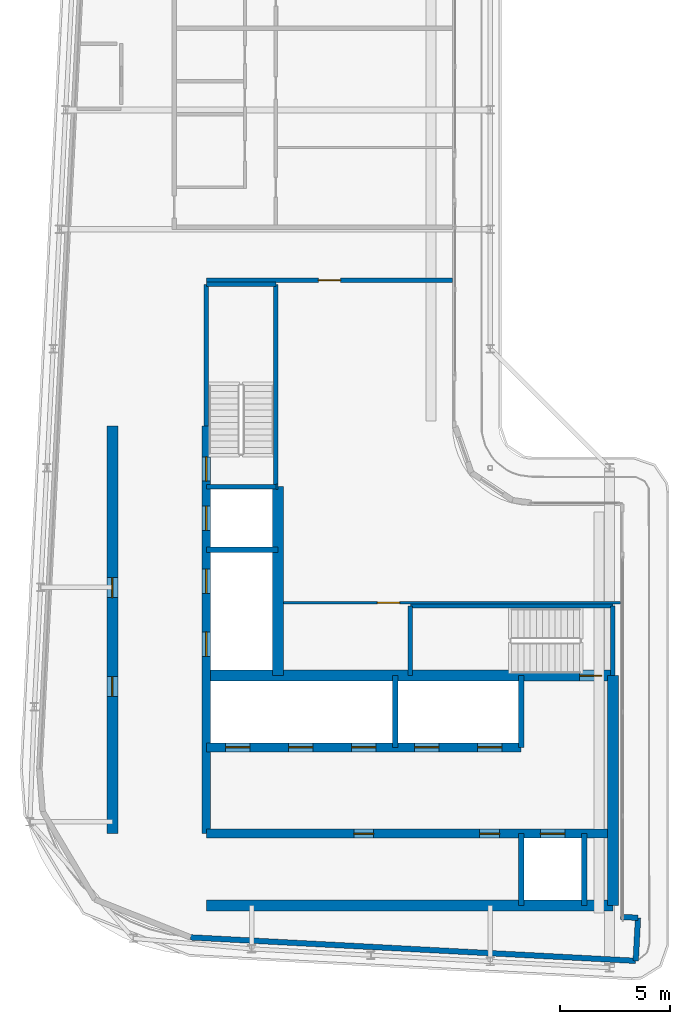
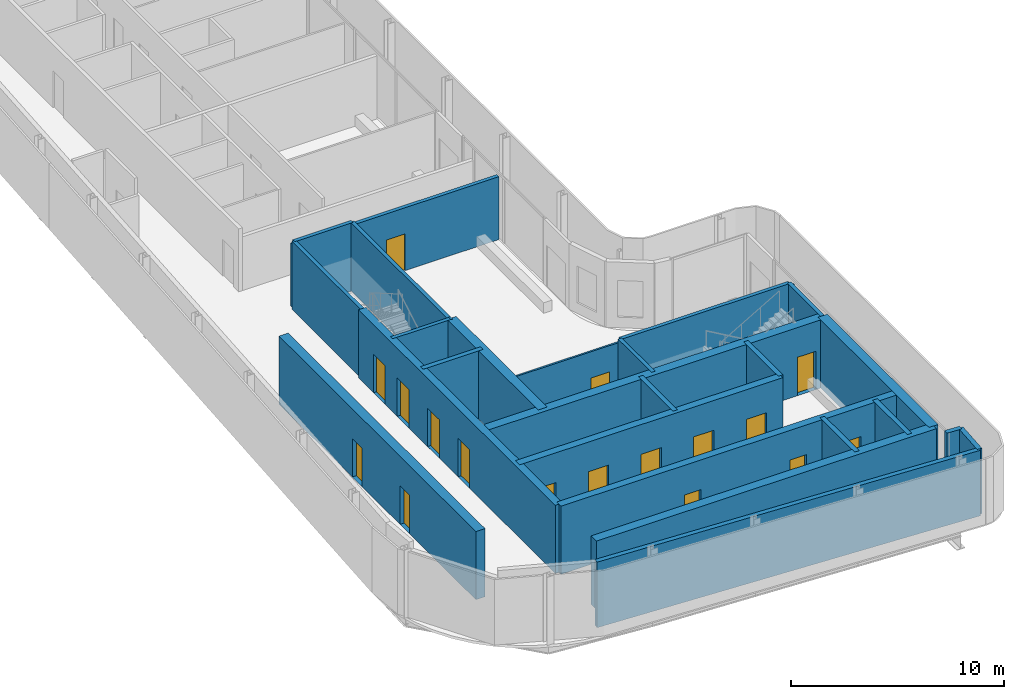
# One storey, part 9 of 18: 26 walls, 17 doors, 17 openings.
"""IFC4 building model written with IfcOpenShell, lengths in metres."""

from ifc_helpers import new_model, si_unit, direction, frame, frame_2d, origin, place, context, subcontext, project, spatial, rectangle, extrude, source, transform, mapped, material, layer, layer_set, type_object, element, fill, save


model = new_model("IFC4")

# Units and contexts
model_context = context("Model", 3, precision=1e-05, world=origin(), true_north=direction((0.0, 1.0)))
body_context = subcontext(model_context, "Body", "Model", "MODEL_VIEW")
ifc_project = project(units=[si_unit("LENGTHUNIT", "METRE"), si_unit("AREAUNIT", "SQUARE_METRE"), si_unit("VOLUMEUNIT", "CUBIC_METRE"), si_unit("PLANEANGLEUNIT", "RADIAN"), si_unit("MASSUNIT", "GRAM", prefix="KILO")], contexts=[model_context])

# Site, building, storey
site_placement = place(None, origin())
site = spatial("IfcSite", under=ifc_project, at=site_placement, CompositionType="ELEMENT")
building_placement = place(site_placement, origin())
building = spatial("IfcBuilding", under=site, at=building_placement, Name="Kheshtan School and Residences Tower", CompositionType="ELEMENT")
storey_placement = place(building_placement, frame((0.0, 0.0, 365.60009765625)))
storey = spatial("IfcBuildingStorey", under=building, at=storey_placement, Name="L86", CompositionType="ELEMENT", Elevation=365.60009765625)

# Wall, openings, doors
ifc_material_1 = material(Name="Concrete C50/60", Category="concrete")
ifc_layer_1 = layer(ifc_material_1, 0.39990234375)
ifc_layer_set_1 = layer_set([ifc_layer_1], Name="Core wall 400 Concrete C50/60")
wall_type_1 = type_object("IfcWallType", Name="Core wall 400 Concrete C50/60", PredefinedType="SHEAR", material=ifc_layer_set_1)
wall_1_placement = place(storey_placement, frame((34.75, 29.050048828125, 0.0), z_axis=(0.0, 0.0, 1.0), x_axis=(1.0, 0.0, 0.0)))
wall_1 = element("IfcWall", 1, at=wall_1_placement, inside=storey, type_object=wall_type_1, Name="Core wall CW-HALL-S1", PredefinedType="SHEAR", context=body_context, shape_type="SweptSolid", body=[
    extrude(rectangle(XDim=18.39990234375, YDim=0.39990234375, at=frame_2d((9.199951171875, 0.0))), origin(), (0.0, 0.0, 1.0), 3.89990234375),
])
opening_1_placement = place(wall_1_placement, frame((15.125, 0.0, 0.0)))
opening_1 = element("IfcOpeningElement", 2, at=opening_1_placement, cuts=wall_1, Name="Opening LD", PredefinedType="OPENING", context=body_context, shape_type="SweptSolid", body=[
    extrude(rectangle(XDim=1.10009765625, YDim=2.199951171875, at=frame_2d((0.550048828125, 1.10009765625))), frame((0.0, 0.2099609375, 0.0), z_axis=(0.0, -1.0, 0.0), x_axis=(1.0, 0.0, 0.0)), (0.0, 0.0, 1.0), 0.419921875),
])
opening_2_placement = place(wall_1_placement, frame((6.675048828125, 0.0, 0.0)))
opening_2 = element("IfcOpeningElement", 3, at=opening_2_placement, cuts=wall_1, Name="Opening SR90", PredefinedType="OPENING", context=body_context, shape_type="SweptSolid", body=[
    extrude(rectangle(XDim=0.89990234375, YDim=2.199951171875, at=frame_2d((0.449951171875, 1.10009765625))), frame((0.0, 0.2099609375, 0.0), z_axis=(0.0, -1.0, 0.0), x_axis=(1.0, 0.0, 0.0)), (0.0, 0.0, 1.0), 0.419921875),
])
opening_3_placement = place(wall_1_placement, frame((12.375, 0.0, 0.0)))
opening_3 = element("IfcOpeningElement", 4, at=opening_3_placement, cuts=wall_1, Name="Opening SR90", PredefinedType="OPENING", context=body_context, shape_type="SweptSolid", body=[
    extrude(rectangle(XDim=0.89990234375, YDim=2.199951171875, at=frame_2d((0.449951171875, 1.10009765625))), frame((0.0, 0.2099609375, 0.0), z_axis=(0.0, -1.0, 0.0), x_axis=(1.0, 0.0, 0.0)), (0.0, 0.0, 1.0), 0.419921875),
])
ifc_material_2 = material(Name="Stainless steel door leaves", Category="steel")
door_type_1 = type_object("IfcDoorType", Name="Lift landing door 1100", OperationType="SLIDING_TO_LEFT", PredefinedType="DOOR", material=ifc_material_2)
shared_shape_1 = source(origin(), body_context, "Body", "SweptSolid", [
    extrude(rectangle(XDim=1.10009765625, YDim=2.199951171875, at=frame_2d((0.550048828125, 1.10009765625))), frame((0.0, 0.02490234375, 0.0), z_axis=(0.0, -1.0, 0.0), x_axis=(1.0, 0.0, 0.0)), (0.0, 0.0, 1.0), 0.050048828125),
])
door_1_placement = place(opening_1_placement, origin())
door_1 = element("IfcDoor", 5, at=door_1_placement, inside=storey, type_object=door_type_1, Name="Lift FFL2 landing door", OperationType="SLIDING_TO_LEFT", OverallHeight=2.199951171875, OverallWidth=1.10009765625, PredefinedType="DOOR", context=body_context, shape_type="MappedRepresentation", body=[
    mapped(shared_shape_1, transform((0.0, 0.0, 0.0), x_axis=(1.0, 0.0, 0.0), y_axis=(0.0, 1.0, 0.0), z_axis=(0.0, 0.0, 1.0), scale=1.0)),
])
fill(opening_1, door_1)
ifc_material_3 = material(Name="Steel door leaf, galvanised", Category="steel")
door_type_2 = type_object("IfcDoorType", Name="Service room door 900 steel 90 min", OperationType="SINGLE_SWING_LEFT", PredefinedType="DOOR", material=ifc_material_3)
shared_shape_2 = source(origin(), body_context, "Body", "SweptSolid", [
    extrude(rectangle(XDim=0.89990234375, YDim=2.199951171875, at=frame_2d((0.449951171875, 1.10009765625))), frame((0.0, 0.02490234375, 0.0), z_axis=(0.0, -1.0, 0.0), x_axis=(1.0, 0.0, 0.0)), (0.0, 0.0, 1.0), 0.050048828125),
])
door_2_placement = place(opening_2_placement, origin())
door_2 = element("IfcDoor", 6, at=door_2_placement, inside=storey, type_object=door_type_2, Name="Service room door", OperationType="SINGLE_SWING_RIGHT", OverallHeight=2.199951171875, OverallWidth=0.89990234375, PredefinedType="DOOR", context=body_context, shape_type="MappedRepresentation", body=[
    mapped(shared_shape_2, transform((0.0, 0.0, 0.0), x_axis=(1.0, 0.0, 0.0), y_axis=(0.0, 1.0, 0.0), z_axis=(0.0, 0.0, 1.0), scale=1.0)),
])
fill(opening_2, door_2)
door_3_placement = place(opening_3_placement, origin())
door_3 = element("IfcDoor", 7, at=door_3_placement, inside=storey, type_object=door_type_2, Name="Service room door", OperationType="SINGLE_SWING_LEFT", OverallHeight=2.199951171875, OverallWidth=0.89990234375, PredefinedType="DOOR", context=body_context, shape_type="MappedRepresentation", body=[
    mapped(shared_shape_2, transform((0.0, 0.0, 0.0), x_axis=(1.0, 0.0, 0.0), y_axis=(0.0, 1.0, 0.0), z_axis=(0.0, 0.0, 1.0), scale=1.0)),
])
fill(opening_3, door_3)

wall_2_placement = place(storey_placement, frame((34.75, 32.949951171875, 0.0), z_axis=(0.0, 0.0, 1.0), x_axis=(1.0, 0.0, 0.0)))
wall_2 = element("IfcWall", 8, at=wall_2_placement, inside=storey, type_object=wall_type_1, Name="Core wall CW-HALL-S2", PredefinedType="SHEAR", context=body_context, shape_type="SweptSolid", body=[
    extrude(rectangle(XDim=14.25, YDim=0.39990234375, at=frame_2d((7.125, 0.0))), origin(), (0.0, 0.0, 1.0), 3.89990234375),
])
opening_4_placement = place(wall_2_placement, frame((0.875, 0.0, 0.0)))
opening_4 = element("IfcOpeningElement", 9, at=opening_4_placement, cuts=wall_2, Name="Opening LD", PredefinedType="OPENING", context=body_context, shape_type="SweptSolid", body=[
    extrude(rectangle(XDim=1.10009765625, YDim=2.199951171875, at=frame_2d((0.550048828125, 1.10009765625))), frame((0.0, 0.2099609375, 0.0), z_axis=(0.0, -1.0, 0.0), x_axis=(1.0, 0.0, 0.0)), (0.0, 0.0, 1.0), 0.419921875),
])
opening_5_placement = place(wall_2_placement, frame((3.72509765625, 0.0, 0.0)))
opening_5 = element("IfcOpeningElement", 10, at=opening_5_placement, cuts=wall_2, Name="Opening LD", PredefinedType="OPENING", context=body_context, shape_type="SweptSolid", body=[
    extrude(rectangle(XDim=1.10009765625, YDim=2.199951171875, at=frame_2d((0.550048828125, 1.10009765625))), frame((0.0, 0.2099609375, 0.0), z_axis=(0.0, -1.0, 0.0), x_axis=(1.0, 0.0, 0.0)), (0.0, 0.0, 1.0), 0.419921875),
])
opening_6_placement = place(wall_2_placement, frame((6.574951171875, 0.0, 0.0)))
opening_6 = element("IfcOpeningElement", 11, at=opening_6_placement, cuts=wall_2, Name="Opening LD", PredefinedType="OPENING", context=body_context, shape_type="SweptSolid", body=[
    extrude(rectangle(XDim=1.10009765625, YDim=2.199951171875, at=frame_2d((0.550048828125, 1.10009765625))), frame((0.0, 0.2099609375, 0.0), z_axis=(0.0, -1.0, 0.0), x_axis=(1.0, 0.0, 0.0)), (0.0, 0.0, 1.0), 0.419921875),
])
opening_7_placement = place(wall_2_placement, frame((9.425048828125, 0.0, 0.0)))
opening_7 = element("IfcOpeningElement", 12, at=opening_7_placement, cuts=wall_2, Name="Opening LD", PredefinedType="OPENING", context=body_context, shape_type="SweptSolid", body=[
    extrude(rectangle(XDim=1.10009765625, YDim=2.199951171875, at=frame_2d((0.550048828125, 1.10009765625))), frame((0.0, 0.2099609375, 0.0), z_axis=(0.0, -1.0, 0.0), x_axis=(1.0, 0.0, 0.0)), (0.0, 0.0, 1.0), 0.419921875),
])
opening_8_placement = place(wall_2_placement, frame((12.27490234375, 0.0, 0.0)))
opening_8 = element("IfcOpeningElement", 13, at=opening_8_placement, cuts=wall_2, Name="Opening LD", PredefinedType="OPENING", context=body_context, shape_type="SweptSolid", body=[
    extrude(rectangle(XDim=1.10009765625, YDim=2.199951171875, at=frame_2d((0.550048828125, 1.10009765625))), frame((0.0, 0.2099609375, 0.0), z_axis=(0.0, -1.0, 0.0), x_axis=(1.0, 0.0, 0.0)), (0.0, 0.0, 1.0), 0.419921875),
])
door_4_placement = place(opening_4_placement, origin())
door_4 = element("IfcDoor", 14, at=door_4_placement, inside=storey, type_object=door_type_1, Name="Lift P12 landing door", OperationType="SLIDING_TO_LEFT", OverallHeight=2.199951171875, OverallWidth=1.10009765625, PredefinedType="DOOR", context=body_context, shape_type="MappedRepresentation", body=[
    mapped(shared_shape_1, transform((0.0, 0.0, 0.0), x_axis=(1.0, 0.0, 0.0), y_axis=(0.0, 1.0, 0.0), z_axis=(0.0, 0.0, 1.0), scale=1.0)),
])
fill(opening_4, door_4)
door_5_placement = place(opening_5_placement, origin())
door_5 = element("IfcDoor", 15, at=door_5_placement, inside=storey, type_object=door_type_1, Name="Lift P13 landing door", OperationType="SLIDING_TO_LEFT", OverallHeight=2.199951171875, OverallWidth=1.10009765625, PredefinedType="DOOR", context=body_context, shape_type="MappedRepresentation", body=[
    mapped(shared_shape_1, transform((0.0, 0.0, 0.0), x_axis=(1.0, 0.0, 0.0), y_axis=(0.0, 1.0, 0.0), z_axis=(0.0, 0.0, 1.0), scale=1.0)),
])
fill(opening_5, door_5)
door_6_placement = place(opening_6_placement, origin())
door_6 = element("IfcDoor", 16, at=door_6_placement, inside=storey, type_object=door_type_1, Name="Lift P14 landing door", OperationType="SLIDING_TO_LEFT", OverallHeight=2.199951171875, OverallWidth=1.10009765625, PredefinedType="DOOR", context=body_context, shape_type="MappedRepresentation", body=[
    mapped(shared_shape_1, transform((0.0, 0.0, 0.0), x_axis=(1.0, 0.0, 0.0), y_axis=(0.0, 1.0, 0.0), z_axis=(0.0, 0.0, 1.0), scale=1.0)),
])
fill(opening_6, door_6)
door_7_placement = place(opening_7_placement, origin())
door_7 = element("IfcDoor", 17, at=door_7_placement, inside=storey, type_object=door_type_1, Name="Lift P15 landing door", OperationType="SLIDING_TO_LEFT", OverallHeight=2.199951171875, OverallWidth=1.10009765625, PredefinedType="DOOR", context=body_context, shape_type="MappedRepresentation", body=[
    mapped(shared_shape_1, transform((0.0, 0.0, 0.0), x_axis=(1.0, 0.0, 0.0), y_axis=(0.0, 1.0, 0.0), z_axis=(0.0, 0.0, 1.0), scale=1.0)),
])
fill(opening_7, door_7)
door_8_placement = place(opening_8_placement, origin())
door_8 = element("IfcDoor", 18, at=door_8_placement, inside=storey, type_object=door_type_1, Name="Lift P16 landing door", OperationType="SLIDING_TO_LEFT", OverallHeight=2.199951171875, OverallWidth=1.10009765625, PredefinedType="DOOR", context=body_context, shape_type="MappedRepresentation", body=[
    mapped(shared_shape_1, transform((0.0, 0.0, 0.0), x_axis=(1.0, 0.0, 0.0), y_axis=(0.0, 1.0, 0.0), z_axis=(0.0, 0.0, 1.0), scale=1.0)),
])
fill(opening_8, door_8)

wall_3_placement = place(storey_placement, frame((34.75, 29.050048828125, 0.0), z_axis=(0.0, 0.0, 1.0), x_axis=(0.0, 1.0, 0.0)))
wall_3 = element("IfcWall", 19, at=wall_3_placement, inside=storey, type_object=wall_type_1, Name="Core wall CW-HALL-W1", PredefinedType="SHEAR", context=body_context, shape_type="SweptSolid", body=[
    extrude(rectangle(XDim=18.449951171875, YDim=0.39990234375, at=frame_2d((9.22509765625, 0.0))), origin(), (0.0, 0.0, 1.0), 3.89990234375),
])
opening_9_placement = place(wall_3_placement, frame((8.02490234375, 0.0, 0.0)))
opening_9 = element("IfcOpeningElement", 20, at=opening_9_placement, cuts=wall_3, Name="Opening LD", PredefinedType="OPENING", context=body_context, shape_type="SweptSolid", body=[
    extrude(rectangle(XDim=1.10009765625, YDim=2.199951171875, at=frame_2d((0.550048828125, 1.10009765625))), frame((0.0, 0.2099609375, 0.0), z_axis=(0.0, -1.0, 0.0), x_axis=(1.0, 0.0, 0.0)), (0.0, 0.0, 1.0), 0.419921875),
])
opening_10_placement = place(wall_3_placement, frame((10.875, 0.0, 0.0)))
opening_10 = element("IfcOpeningElement", 21, at=opening_10_placement, cuts=wall_3, Name="Opening LD", PredefinedType="OPENING", context=body_context, shape_type="SweptSolid", body=[
    extrude(rectangle(XDim=1.10009765625, YDim=2.199951171875, at=frame_2d((0.550048828125, 1.10009765625))), frame((0.0, 0.2099609375, 0.0), z_axis=(0.0, -1.0, 0.0), x_axis=(1.0, 0.0, 0.0)), (0.0, 0.0, 1.0), 0.419921875),
])
opening_11_placement = place(wall_3_placement, frame((13.72509765625, 0.0, 0.0)))
opening_11 = element("IfcOpeningElement", 22, at=opening_11_placement, cuts=wall_3, Name="Opening LD", PredefinedType="OPENING", context=body_context, shape_type="SweptSolid", body=[
    extrude(rectangle(XDim=1.10009765625, YDim=2.199951171875, at=frame_2d((0.550048828125, 1.10009765625))), frame((0.0, 0.2099609375, 0.0), z_axis=(0.0, -1.0, 0.0), x_axis=(1.0, 0.0, 0.0)), (0.0, 0.0, 1.0), 0.419921875),
])
opening_12_placement = place(wall_3_placement, frame((15.949951171875, 0.0, 0.0)))
opening_12 = element("IfcOpeningElement", 23, at=opening_12_placement, cuts=wall_3, Name="Opening ST2D", PredefinedType="OPENING", context=body_context, shape_type="SweptSolid", body=[
    extrude(rectangle(XDim=1.10009765625, YDim=2.199951171875, at=frame_2d((0.550048828125, 1.10009765625))), frame((0.0, 0.2099609375, 0.0), z_axis=(0.0, -1.0, 0.0), x_axis=(1.0, 0.0, 0.0)), (0.0, 0.0, 1.0), 0.419921875),
])
door_9_placement = place(opening_9_placement, origin())
door_9 = element("IfcDoor", 24, at=door_9_placement, inside=storey, type_object=door_type_1, Name="Lift SV1 landing door", OperationType="SLIDING_TO_LEFT", OverallHeight=2.199951171875, OverallWidth=1.10009765625, PredefinedType="DOOR", context=body_context, shape_type="MappedRepresentation", body=[
    mapped(shared_shape_1, transform((0.0, 0.0, 0.0), x_axis=(1.0, 0.0, 0.0), y_axis=(0.0, 1.0, 0.0), z_axis=(0.0, 0.0, 1.0), scale=1.0)),
])
fill(opening_9, door_9)
door_10_placement = place(opening_10_placement, origin())
door_10 = element("IfcDoor", 25, at=door_10_placement, inside=storey, type_object=door_type_1, Name="Lift SV2 landing door", OperationType="SLIDING_TO_LEFT", OverallHeight=2.199951171875, OverallWidth=1.10009765625, PredefinedType="DOOR", context=body_context, shape_type="MappedRepresentation", body=[
    mapped(shared_shape_1, transform((0.0, 0.0, 0.0), x_axis=(1.0, 0.0, 0.0), y_axis=(0.0, 1.0, 0.0), z_axis=(0.0, 0.0, 1.0), scale=1.0)),
])
fill(opening_10, door_10)
door_11_placement = place(opening_11_placement, origin())
door_11 = element("IfcDoor", 26, at=door_11_placement, inside=storey, type_object=door_type_1, Name="Lift FFL1 landing door", OperationType="SLIDING_TO_LEFT", OverallHeight=2.199951171875, OverallWidth=1.10009765625, PredefinedType="DOOR", context=body_context, shape_type="MappedRepresentation", body=[
    mapped(shared_shape_1, transform((0.0, 0.0, 0.0), x_axis=(1.0, 0.0, 0.0), y_axis=(0.0, 1.0, 0.0), z_axis=(0.0, 0.0, 1.0), scale=1.0)),
])
fill(opening_11, door_11)
door_type_3 = type_object("IfcDoorType", Name="Stair door 1100 steel 90 min", OperationType="SINGLE_SWING_LEFT", PredefinedType="DOOR", material=ifc_material_3)
shared_shape_3 = source(origin(), body_context, "Body", "SweptSolid", [
    extrude(rectangle(XDim=1.10009765625, YDim=2.199951171875, at=frame_2d((0.550048828125, 1.10009765625))), frame((0.0, 0.02490234375, 0.0), z_axis=(0.0, -1.0, 0.0), x_axis=(1.0, 0.0, 0.0)), (0.0, 0.0, 1.0), 0.050048828125),
])
door_12_placement = place(opening_12_placement, origin())
door_12 = element("IfcDoor", 27, at=door_12_placement, inside=storey, type_object=door_type_3, Name="Stair ST2 door", OperationType="SINGLE_SWING_RIGHT", OverallHeight=2.199951171875, OverallWidth=1.10009765625, PredefinedType="DOOR", context=body_context, shape_type="MappedRepresentation", body=[
    mapped(shared_shape_3, transform((0.0, 0.0, 0.0), x_axis=(1.0, 0.0, 0.0), y_axis=(0.0, 1.0, 0.0), z_axis=(0.0, 0.0, 1.0), scale=1.0)),
])
fill(opening_12, door_12)

# Wall
ifc_layer_2 = layer(ifc_material_1, 0.5)
ifc_layer_set_2 = layer_set([ifc_layer_2], Name="Core wall 500 Concrete C50/60")
wall_type_2 = type_object("IfcWallType", Name="Core wall 500 Concrete C50/60", PredefinedType="SHEAR", material=ifc_layer_set_2)
wall_4_placement = place(storey_placement, frame((34.75, 25.800048828125, 0.0), z_axis=(0.0, 0.0, 1.0), x_axis=(1.0, 0.0, 0.0)))
element("IfcWall", 28, at=wall_4_placement, inside=storey, type_object=wall_type_2, Name="Core wall CW-REAR-S", PredefinedType="SHEAR", context=body_context, shape_type="SweptSolid", body=[
    extrude(rectangle(XDim=18.39990234375, YDim=0.5, at=frame_2d((9.199951171875, 0.0))), origin(), (0.0, 0.0, 1.0), 3.89990234375),
])

# Wall, opening, door
wall_5_placement = place(storey_placement, frame((34.75, 36.199951171875, 0.0), z_axis=(0.0, 0.0, 1.0), x_axis=(1.0, 0.0, 0.0)))
wall_5 = element("IfcWall", 29, at=wall_5_placement, inside=storey, type_object=wall_type_2, Name="Core wall CW-FRONT-S", PredefinedType="SHEAR", context=body_context, shape_type="SweptSolid", body=[
    extrude(rectangle(XDim=18.39990234375, YDim=0.5, at=frame_2d((9.199951171875, 0.0))), origin(), (0.0, 0.0, 1.0), 3.89990234375),
])
opening_13_placement = place(wall_5_placement, frame((16.89990234375, 0.0, 0.0)))
opening_13 = element("IfcOpeningElement", 30, at=opening_13_placement, cuts=wall_5, Name="Opening ST1D", PredefinedType="OPENING", context=body_context, shape_type="SweptSolid", body=[
    extrude(rectangle(XDim=1.0, YDim=2.199951171875, at=frame_2d((0.5, 1.10009765625))), frame((0.0, 0.260009765625, 0.0), z_axis=(0.0, -1.0, 0.0), x_axis=(1.0, 0.0, 0.0)), (0.0, 0.0, 1.0), 0.52001953125),
])
shared_shape_4 = source(origin(), body_context, "Body", "SweptSolid", [
    extrude(rectangle(XDim=1.0, YDim=2.199951171875, at=frame_2d((0.5, 1.10009765625))), frame((0.0, 0.02490234375, 0.0), z_axis=(0.0, -1.0, 0.0), x_axis=(1.0, 0.0, 0.0)), (0.0, 0.0, 1.0), 0.050048828125),
])
door_13_placement = place(opening_13_placement, origin())
door_13 = element("IfcDoor", 31, at=door_13_placement, inside=storey, type_object=door_type_3, Name="Stair ST1 door", OperationType="SINGLE_SWING_RIGHT", OverallHeight=2.199951171875, OverallWidth=1.0, PredefinedType="DOOR", context=body_context, shape_type="MappedRepresentation", body=[
    mapped(shared_shape_4, transform((0.0, 0.0, 0.0), x_axis=(1.0, 0.0, 0.0), y_axis=(0.0, 1.0, 0.0), z_axis=(0.0, 0.0, 1.0), scale=1.0)),
])
fill(opening_13, door_13)

# Wall
wall_6_placement = place(storey_placement, frame((38.0, 36.199951171875, 0.0), z_axis=(0.0, 0.0, 1.0), x_axis=(0.0, 1.0, 0.0)))
element("IfcWall", 32, at=wall_6_placement, inside=storey, type_object=wall_type_2, Name="Core wall CW-FRONT-W", PredefinedType="SHEAR", context=body_context, shape_type="SweptSolid", body=[
    extrude(rectangle(XDim=8.550048828125, YDim=0.5, at=frame_2d((4.27490234375, 0.0))), origin(), (0.0, 0.0, 1.0), 3.89990234375),
])

# Wall, openings, doors
wall_7_placement = place(storey_placement, frame((30.5, 29.050048828125, 0.0), z_axis=(0.0, 0.0, 1.0), x_axis=(0.0, 1.0, 0.0)))
wall_7 = element("IfcWall", 33, at=wall_7_placement, inside=storey, type_object=wall_type_2, Name="Core wall CW-REAR-W", PredefinedType="SHEAR", context=body_context, shape_type="SweptSolid", body=[
    extrude(rectangle(XDim=18.449951171875, YDim=0.5, at=frame_2d((9.22509765625, 0.0))), origin(), (0.0, 0.0, 1.0), 3.89990234375),
])
opening_14_placement = place(wall_7_placement, frame((6.2099609375, 0.0, 0.0)))
opening_14 = element("IfcOpeningElement", 34, at=opening_14_placement, cuts=wall_7, Name="Opening SR90", PredefinedType="OPENING", context=body_context, shape_type="SweptSolid", body=[
    extrude(rectangle(XDim=0.89990234375, YDim=2.199951171875, at=frame_2d((0.449951171875, 1.10009765625))), frame((0.0, 0.260009765625, 0.0), z_axis=(0.0, -1.0, 0.0), x_axis=(1.0, 0.0, 0.0)), (0.0, 0.0, 1.0), 0.52001953125),
])
opening_15_placement = place(wall_7_placement, frame((10.68408203125, 0.0, 0.0)))
opening_15 = element("IfcOpeningElement", 35, at=opening_15_placement, cuts=wall_7, Name="Opening SR90", PredefinedType="OPENING", context=body_context, shape_type="SweptSolid", body=[
    extrude(rectangle(XDim=0.89990234375, YDim=2.199951171875, at=frame_2d((0.449951171875, 1.10009765625))), frame((0.0, 0.260009765625, 0.0), z_axis=(0.0, -1.0, 0.0), x_axis=(1.0, 0.0, 0.0)), (0.0, 0.0, 1.0), 0.52001953125),
])
door_14_placement = place(opening_14_placement, origin())
door_14 = element("IfcDoor", 36, at=door_14_placement, inside=storey, type_object=door_type_2, Name="Service room door", OperationType="SINGLE_SWING_RIGHT", OverallHeight=2.199951171875, OverallWidth=0.89990234375, PredefinedType="DOOR", context=body_context, shape_type="MappedRepresentation", body=[
    mapped(shared_shape_2, transform((0.0, 0.0, 0.0), x_axis=(1.0, 0.0, 0.0), y_axis=(0.0, 1.0, 0.0), z_axis=(0.0, 0.0, 1.0), scale=1.0)),
])
fill(opening_14, door_14)
door_15_placement = place(opening_15_placement, origin())
door_15 = element("IfcDoor", 37, at=door_15_placement, inside=storey, type_object=door_type_2, Name="Service room door", OperationType="SINGLE_SWING_LEFT", OverallHeight=2.199951171875, OverallWidth=0.89990234375, PredefinedType="DOOR", context=body_context, shape_type="MappedRepresentation", body=[
    mapped(shared_shape_2, transform((0.0, 0.0, 0.0), x_axis=(1.0, 0.0, 0.0), y_axis=(0.0, 1.0, 0.0), z_axis=(0.0, 0.0, 1.0), scale=1.0)),
])
fill(opening_15, door_15)

# Wall
wall_8_placement = place(storey_placement, frame((53.14990234375, 25.800048828125, 0.0), z_axis=(0.0, 0.0, 1.0), x_axis=(0.0, 1.0, 0.0)))
element("IfcWall", 38, at=wall_8_placement, inside=storey, type_object=wall_type_2, Name="Core wall CW-EAST", PredefinedType="SHEAR", context=body_context, shape_type="SweptSolid", body=[
    extrude(rectangle(XDim=10.39990234375, YDim=0.5, at=frame_2d((5.199951171875, 0.0))), origin(), (0.0, 0.0, 1.0), 3.89990234375),
])

# Wall, opening, door
ifc_material_4 = material(Name="Gypsum board on steel studs with fire boards", Category="steel")
ifc_layer_3 = layer(ifc_material_4, 0.199951171875)
ifc_layer_set_3 = layer_set([ifc_layer_3], Name="Corridor wall 200")
wall_type_3 = type_object("IfcWallType", Name="Corridor wall 200", PredefinedType="PARTITIONING", material=ifc_layer_set_3)
wall_9_placement = place(storey_placement, frame((34.75, 54.10009765625, 0.0), z_axis=(0.0, 0.0, 1.0), x_axis=(1.0, 0.0, 0.0)))
wall_9 = element("IfcWall", 39, at=wall_9_placement, inside=storey, type_object=wall_type_3, Name="Partition L86-017", PredefinedType="PARTITIONING", context=body_context, shape_type="SweptSolid", body=[
    extrude(rectangle(XDim=11.14990234375, YDim=0.199951171875, at=frame_2d((5.574951171875, 0.0))), origin(), (0.0, 0.0, 1.0), 3.599853515625),
])
opening_16_placement = place(wall_9_placement, frame((5.074951171875, 0.0, 0.0)))
opening_16 = element("IfcOpeningElement", 40, at=opening_16_placement, cuts=wall_9, Name="Opening D85-029", PredefinedType="OPENING", context=body_context, shape_type="SweptSolid", body=[
    extrude(rectangle(XDim=1.0, YDim=2.10009765625, at=frame_2d((0.5, 1.050048828125))), frame((0.0, 0.10986328125, 0.0), z_axis=(0.0, -1.0, 0.0), x_axis=(1.0, 0.0, 0.0)), (0.0, 0.0, 1.0), 0.219970703125),
])
ifc_material_5 = material(Name="Steel-framed fire-resisting door leaf", Category="steel")
door_type_4 = type_object("IfcDoorType", Name="Fire door FD60 1000 x 2100", OperationType="SINGLE_SWING_LEFT", PredefinedType="DOOR", material=ifc_material_5)
shared_shape_5 = source(origin(), body_context, "Body", "SweptSolid", [
    extrude(rectangle(XDim=1.0, YDim=2.10009765625, at=frame_2d((0.5, 1.050048828125))), frame((0.0, 0.02490234375, 0.0), z_axis=(0.0, -1.0, 0.0), x_axis=(1.0, 0.0, 0.0)), (0.0, 0.0, 1.0), 0.050048828125),
])
door_16_placement = place(opening_16_placement, origin())
door_16 = element("IfcDoor", 41, at=door_16_placement, inside=storey, type_object=door_type_4, Name="Door D85-029", OperationType="SINGLE_SWING_RIGHT", OverallHeight=2.10009765625, OverallWidth=1.0, PredefinedType="DOOR", context=body_context, shape_type="MappedRepresentation", body=[
    mapped(shared_shape_5, transform((0.0, 0.0, 0.0), x_axis=(1.0, 0.0, 0.0), y_axis=(0.0, 1.0, 0.0), z_axis=(0.0, 0.0, 1.0), scale=1.0)),
])
fill(opening_16, door_16)

# Walls
ifc_material_6 = material(Name="Concrete C40/50 with ceramic cladding and mineral wool insulation", Category="concrete")
ifc_layer_4 = layer(ifc_material_6, 0.25)
ifc_layer_set_4 = layer_set([ifc_layer_4], Name="External wall 250 ceramic clad")
wall_type_4 = type_object("IfcWallType", Name="External wall 250 ceramic clad", PredefinedType="SOLIDWALL", material=ifc_layer_set_4)
wall_10_placement = place(storey_placement, frame((53.507080078125, 25.281005859375, 0.0), z_axis=(0.0, 0.0, 1.0), x_axis=(0.998561284263, -0.053622398031, 0.0)))
element("IfcWall", 42, at=wall_10_placement, inside=storey, type_object=wall_type_4, Name="External wall L86 14", PredefinedType="SOLIDWALL", context=body_context, shape_type="SweptSolid", body=[
    extrude(rectangle(XDim=0.783203125, YDim=0.25, at=frame_2d((0.3916015625, 0.0))), origin(), (0.0, 0.0, 1.0), 3.75),
])
wall_11_placement = place(storey_placement, frame((54.2890625, 25.239013671875, 0.0), z_axis=(0.0, 0.0, 1.0), x_axis=(-0.052841433274, -0.998602915542, 0.0)))
element("IfcWall", 43, at=wall_11_placement, inside=storey, type_object=wall_type_4, Name="External wall L86 15", PredefinedType="SOLIDWALL", context=body_context, shape_type="SweptSolid", body=[
    extrude(rectangle(XDim=1.94970703125, YDim=0.25, at=frame_2d((0.974853515625, 0.0))), origin(), (0.0, 0.0, 1.0), 3.75),
])
wall_12_placement = place(storey_placement, frame((54.18603515625, 23.2919921875, 0.0), z_axis=(0.0, 0.0, 1.0), x_axis=(-0.998616090491, 0.052591860707, 0.0)))
element("IfcWall", 44, at=wall_12_placement, inside=storey, type_object=wall_type_4, Name="External wall L86 16", PredefinedType="SOLIDWALL", context=body_context, shape_type="SweptSolid", body=[
    extrude(rectangle(XDim=20.1748046875, YDim=0.25, at=frame_2d((10.08740234375, 0.0))), origin(), (0.0, 0.0, 1.0), 3.75),
])

# Wall, opening, door
ifc_material_7 = material(Name="Gypsum board on steel studs", Category="steel")
ifc_layer_5 = layer(ifc_material_7, 0.10009765625)
ifc_layer_set_5 = layer_set([ifc_layer_5], Name="Gypsum partition 100")
wall_type_5 = type_object("IfcWallType", Name="Gypsum partition 100", PredefinedType="PARTITIONING", material=ifc_layer_set_5)
wall_13_placement = place(storey_placement, frame((38.2490234375, 39.5, 0.0), z_axis=(0.0, 0.0, 1.0), x_axis=(1.0, 0.0, 0.0)))
wall_13 = element("IfcWall", 45, at=wall_13_placement, inside=storey, type_object=wall_type_5, Name="Partition L86-037", PredefinedType="PARTITIONING", context=body_context, shape_type="SweptSolid", body=[
    extrude(rectangle(XDim=15.2509765625, YDim=0.10009765625, at=frame_2d((7.62548828125, 0.0))), origin(), (0.0, 0.0, 1.0), 3.599853515625),
])
opening_17_placement = place(wall_13_placement, frame((4.2470703125, 0.0, 0.0)))
opening_17 = element("IfcOpeningElement", 46, at=opening_17_placement, cuts=wall_13, Name="Opening D85-028", PredefinedType="OPENING", context=body_context, shape_type="SweptSolid", body=[
    extrude(rectangle(XDim=1.0, YDim=2.10009765625, at=frame_2d((0.5, 1.050048828125))), frame((0.0, 0.06005859375, 0.0), z_axis=(0.0, -1.0, 0.0), x_axis=(1.0, 0.0, 0.0)), (0.0, 0.0, 1.0), 0.1201171875),
])
ifc_material_8 = material(Name="Veneered timber door leaf", Category="wood")
door_type_5 = type_object("IfcDoorType", Name="Door 1000 x 2100", OperationType="SINGLE_SWING_LEFT", PredefinedType="DOOR", material=ifc_material_8)
shared_shape_6 = source(origin(), body_context, "Body", "SweptSolid", [
    extrude(rectangle(XDim=1.0, YDim=2.10009765625, at=frame_2d((0.5, 1.050048828125))), frame((0.0, 0.02490234375, 0.0), z_axis=(0.0, -1.0, 0.0), x_axis=(1.0, 0.0, 0.0)), (0.0, 0.0, 1.0), 0.050048828125),
])
door_17_placement = place(opening_17_placement, origin())
door_17 = element("IfcDoor", 47, at=door_17_placement, inside=storey, type_object=door_type_5, Name="Door D85-028", OperationType="SINGLE_SWING_LEFT", OverallHeight=2.10009765625, OverallWidth=1.0, PredefinedType="DOOR", context=body_context, shape_type="MappedRepresentation", body=[
    mapped(shared_shape_6, transform((0.0, 0.0, 0.0), x_axis=(1.0, 0.0, 0.0), y_axis=(0.0, 1.0, 0.0), z_axis=(0.0, 0.0, 1.0), scale=1.0)),
])
fill(opening_17, door_17)

# Walls
ifc_material_9 = material(Name="Fire-board shaft wall system")
ifc_layer_6 = layer(ifc_material_9, 0.25)
ifc_layer_set_6 = layer_set([ifc_layer_6], Name="Shaft lining wall 250")
wall_type_6 = type_object("IfcWallType", Name="Shaft lining wall 250", PredefinedType="PARTITIONING", material=ifc_layer_set_6)
for number, where, z_axis, x_axis, name in (
    (48, (43.300048828125, 32.949951171875, 0.0), (0.0, 0.0, 1.0), (0.0, 1.0, 0.0), "Shaft lining wall"),
    (49, (49.0, 25.800048828125, 0.0), (0.0, 0.0, 1.0), (0.0, 1.0, 0.0), "Shaft lining wall"),
    (50, (49.0, 32.949951171875, 0.0), (0.0, 0.0, 1.0), (0.0, 1.0, 0.0), "Shaft lining wall"),
    (51, (51.85009765625, 25.800048828125, 0.0), (0.0, 0.0, 1.0), (0.0, 1.0, 0.0), "Shaft lining wall"),
    (52, (34.75, 41.89990234375, 0.0), (0.0, 0.0, 1.0), (1.0, 0.0, 0.0), "Shaft lining wall"),
):
    element("IfcWall", number, at=place(storey_placement, frame(where, z_axis=z_axis, x_axis=x_axis)), inside=storey, type_object=wall_type_6, Name=name, PredefinedType="PARTITIONING", context=body_context, shape_type="SweptSolid", body=[
        extrude(rectangle(XDim=3.25, YDim=0.25, at=frame_2d((1.625, 0.0))), origin(), (0.0, 0.0, 1.0), 3.89990234375),
    ])
wall_14_placement = place(storey_placement, frame((37.89990234375, 44.75, 0.0), z_axis=(0.0, 0.0, 1.0), x_axis=(1.0, 0.0, 0.0)))
element("IfcWall", 53, at=wall_14_placement, inside=storey, type_object=wall_type_6, Name="Shaft lining wall", PredefinedType="PARTITIONING", context=body_context, shape_type="SweptSolid", body=[
    extrude(rectangle(XDim=0.10009765625, YDim=0.25, at=frame_2d((0.050048828125, 0.0))), origin(), (0.0, 0.0, 1.0), 3.89990234375),
])
ifc_material_10 = material(Name="Concrete C40/50", Category="concrete")
ifc_layer_7 = layer(ifc_material_10, 0.199951171875)
ifc_layer_set_7 = layer_set([ifc_layer_7], Name="Stair enclosure wall 200 Concrete C40/50")
wall_type_7 = type_object("IfcWallType", Name="Stair enclosure wall 200 Concrete C40/50", PredefinedType="SHEAR", material=ifc_layer_set_7)
wall_15_placement = place(storey_placement, frame((43.989990234375, 39.35009765625, 0.0), z_axis=(0.0, 0.0, 1.0), x_axis=(1.0, 0.0, 0.0)))
element("IfcWall", 54, at=wall_15_placement, inside=storey, type_object=wall_type_7, Name="Stair enclosure wall ST1", PredefinedType="SHEAR", context=body_context, shape_type="SweptSolid", body=[
    extrude(rectangle(XDim=9.159912109375, YDim=0.199951171875, at=frame_2d((4.580078125, 0.0))), origin(), (0.0, 0.0, 1.0), 3.89990234375),
])
for number, where, z_axis, x_axis, name in (
    (55, (43.989990234375, 36.199951171875, 0.0), (0.0, 0.0, 1.0), (0.0, 1.0, 0.0), "Stair enclosure wall ST1"),
    (56, (53.14990234375, 36.199951171875, 0.0), (0.0, 0.0, 1.0), (0.0, 1.0, 0.0), "Stair enclosure wall ST1"),
):
    element("IfcWall", number, at=place(storey_placement, frame(where, z_axis=z_axis, x_axis=x_axis)), inside=storey, type_object=wall_type_7, Name=name, PredefinedType="SHEAR", context=body_context, shape_type="SweptSolid", body=[
        extrude(rectangle(XDim=3.150146484375, YDim=0.199951171875, at=frame_2d((1.5751953125, 0.0))), origin(), (0.0, 0.0, 1.0), 3.89990234375),
    ])
for number, where, z_axis, x_axis, name in (
    (57, (34.75, 44.75, 0.0), (0.0, 0.0, 1.0), (1.0, 0.0, 0.0), "Stair enclosure wall ST2"),
    (58, (34.75, 53.909912109375, 0.0), (0.0, 0.0, 1.0), (1.0, 0.0, 0.0), "Stair enclosure wall ST2"),
):
    element("IfcWall", number, at=place(storey_placement, frame(where, z_axis=z_axis, x_axis=x_axis)), inside=storey, type_object=wall_type_7, Name=name, PredefinedType="SHEAR", context=body_context, shape_type="SweptSolid", body=[
        extrude(rectangle(XDim=3.14990234375, YDim=0.199951171875, at=frame_2d((1.574951171875, 0.0))), origin(), (0.0, 0.0, 1.0), 3.89990234375),
    ])
wall_16_placement = place(storey_placement, frame((34.75, 47.5, 0.0), z_axis=(0.0, 0.0, 1.0), x_axis=(0.0, 1.0, 0.0)))
element("IfcWall", 59, at=wall_16_placement, inside=storey, type_object=wall_type_7, Name="Stair enclosure wall ST2", PredefinedType="SHEAR", context=body_context, shape_type="SweptSolid", body=[
    extrude(rectangle(XDim=6.409912109375, YDim=0.199951171875, at=frame_2d((3.205078125, 0.0))), origin(), (0.0, 0.0, 1.0), 3.89990234375),
])
wall_17_placement = place(storey_placement, frame((37.89990234375, 44.75, 0.0), z_axis=(0.0, 0.0, 1.0), x_axis=(0.0, 1.0, 0.0)))
element("IfcWall", 60, at=wall_17_placement, inside=storey, type_object=wall_type_7, Name="Stair enclosure wall ST2", PredefinedType="SHEAR", context=body_context, shape_type="SweptSolid", body=[
    extrude(rectangle(XDim=9.159912109375, YDim=0.199951171875, at=frame_2d((4.580078125, 0.0))), origin(), (0.0, 0.0, 1.0), 3.89990234375),
])

save(model, "model.ifc")
